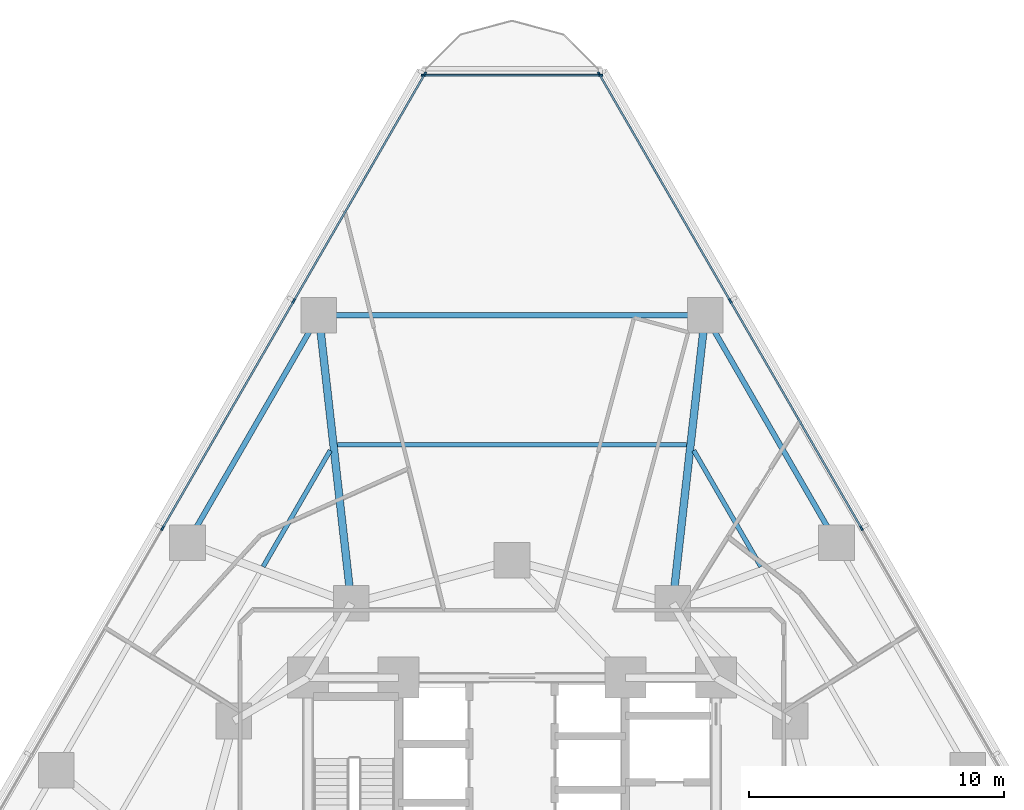
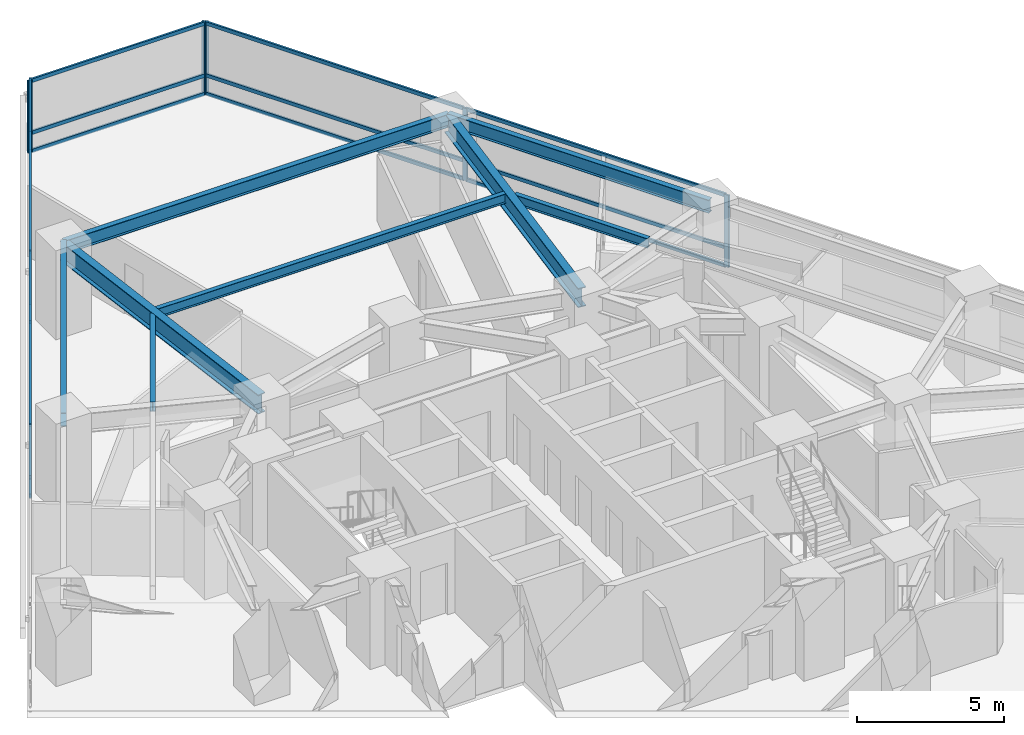
# One storey, part 6 of 15: 23 members, 8 beams, 3 elements without a shape of their own.
"""IFC4 building model written with IfcOpenShell, lengths in metres."""

from ifc_helpers import new_model, si_unit, direction, frame, origin, origin_2d, place, context, subcontext, project, spatial, rectangle, i_section, extrude, material, layer, layer_set, material_profile, profile_set, type_object, element, aggregate, save


model = new_model("IFC4")

# Units and contexts
model_context = context("Model", 3, precision=1e-05, world=origin(), true_north=direction((0.0, 1.0)))
body_context = subcontext(model_context, "Body", "Model", "MODEL_VIEW")
ifc_project = project(units=[si_unit("LENGTHUNIT", "METRE"), si_unit("AREAUNIT", "SQUARE_METRE"), si_unit("VOLUMEUNIT", "CUBIC_METRE"), si_unit("PLANEANGLEUNIT", "RADIAN"), si_unit("MASSUNIT", "GRAM", prefix="KILO")], contexts=[model_context])

# Site, building, storey
site_placement = place(None, origin())
site = spatial("IfcSite", under=ifc_project, at=site_placement, CompositionType="ELEMENT")
building_placement = place(site_placement, origin())
building = spatial("IfcBuilding", under=site, at=building_placement, Name="Terralouvre Media Tower", CompositionType="ELEMENT")
storey_placement = place(building_placement, frame((0.0, 0.0, 33.39990234375)))
storey = spatial("IfcBuildingStorey", under=building, at=storey_placement, Name="L07", CompositionType="ELEMENT", Elevation=33.39990234375)

# Beams
ifc_material_1 = material(Name="Structural steel S355J2", Category="steel")
ifc_material_profile_1 = material_profile(ifc_material_1, i_section(OverallWidth=0.179931640625, OverallDepth=0.39990234375, WebThickness=0.008544921875, FlangeThickness=0.013427734375, at=origin_2d()), Name="IPE 400")
ifc_profile_set_1 = profile_set([ifc_material_profile_1], Name="Structural steel S355J2")
beam_type_1 = type_object("IfcBeamType", Name="Composite Floor Joist J-IPE400 (IPE 400)", PredefinedType="JOIST", material=ifc_profile_set_1)
beam_1_placement = place(storey_placement, frame((9.758544921875, 12.351806640625, 3.300048828125), z_axis=(-0.499984733014, 0.866034218004, 0.0), x_axis=(-0.866034218004, -0.499984733014, 0.0)))
element("IfcBeam", 1, at=beam_1_placement, inside=storey, type_object=beam_type_1, Name="L07 Framing Beam JT-L07-08", PredefinedType="JOIST", context=body_context, shape_type="SweptSolid", body=[
    extrude(i_section(OverallWidth=0.179931640625, OverallDepth=0.39990234375, WebThickness=0.008544921875, FlangeThickness=0.013427734375, at=origin_2d()), origin(), (0.0, 0.0, 1.0), 5.264404296875),
])
beam_2_placement = place(storey_placement, frame((6.85107421875, 17.127685546875, 3.300048828125), z_axis=(-1.0, 0.0, 0.0), x_axis=(0.0, -1.0, 0.0)))
element("IfcBeam", 2, at=beam_2_placement, inside=storey, type_object=beam_type_1, Name="L07 Framing Beam JT-L07-09", PredefinedType="JOIST", context=body_context, shape_type="SweptSolid", body=[
    extrude(i_section(OverallWidth=0.179931640625, OverallDepth=0.39990234375, WebThickness=0.008544921875, FlangeThickness=0.013427734375, at=origin_2d()), origin(), (0.0, 0.0, 1.0), 13.7021484375),
])
beam_3_placement = place(storey_placement, frame((-7.12646484375, 16.910888671875, 3.300048828125), z_axis=(-0.499984733014, -0.866034218004, 0.0), x_axis=(0.866034218004, -0.499984733014, 0.0)))
element("IfcBeam", 3, at=beam_3_placement, inside=storey, type_object=beam_type_1, Name="L07 Framing Beam JT-L07-10", PredefinedType="JOIST", context=body_context, shape_type="SweptSolid", body=[
    extrude(i_section(OverallWidth=0.179931640625, OverallDepth=0.39990234375, WebThickness=0.008544921875, FlangeThickness=0.013427734375, at=origin_2d()), origin(), (0.0, 0.0, 1.0), 5.264404296875),
])

# Curtain wall, members
ifc_material_2 = material(Name="Low-iron laminated double glazing with solar-control coating", Category="glass")
ifc_layer_1 = layer(ifc_material_2, 0.1650390625, Name="Lower Media Tower Unitised Curtain Wall CW-02")
ifc_layer_set_1 = layer_set([ifc_layer_1], Name="Low-iron laminated double glazing with solar-control coating")
curtain_wall_type_1 = type_object("IfcCurtainWallType", Name="Lower Media Tower Unitised Curtain Wall CW-02", PredefinedType="NOTDEFINED", material=ifc_layer_set_1)
curtain_wall_1_placement = place(storey_placement, origin())
curtain_wall_1 = element("IfcCurtainWall", 4, at=curtain_wall_1_placement, inside=storey, type_object=curtain_wall_type_1, Name="L07 Facade Curtain Wall F1", PredefinedType="NOTDEFINED")
ifc_material_3 = material(Name="Anodised extruded aluminium 6063-T6", Category="aluminium")
ifc_material_profile_2 = material_profile(ifc_material_3, rectangle(XDim=0.074951171875, YDim=0.14990234375, at=origin_2d()), Name="ALU 75x150")
ifc_profile_set_2 = profile_set([ifc_material_profile_2], Name="Anodised extruded aluminium 6063-T6")
member_type_1 = type_object("IfcMemberType", Name="Curtain-Wall Horizontal Transom TR-150", PredefinedType="USERDEFINED", material=ifc_profile_set_2)
member_1_placement = place(storey_placement, frame((13.684814453125, 13.890869140625, 0.03759765625), z_axis=(-0.499998717582, 0.866026144187, 0.0), x_axis=(-0.866026144187, -0.499998717582, 0.0)))
member_1 = element("IfcMember", 5, at=member_1_placement, type_object=member_type_1, Name="CW-02 transom 4.1", ObjectType="TRANSOM", PredefinedType="USERDEFINED", context=body_context, shape_type="SweptSolid", body=[
    extrude(rectangle(XDim=0.074951171875, YDim=0.14990234375, at=origin_2d()), origin(), (0.0, 0.0, 1.0), 10.22509765625),
])
member_2_placement = place(storey_placement, frame((13.684814453125, 13.890869140625, 0.800048828125), z_axis=(-0.499998717582, 0.866026144187, 0.0), x_axis=(-0.866026144187, -0.499998717582, 0.0)))
member_2 = element("IfcMember", 6, at=member_2_placement, type_object=member_type_1, Name="CW-02 transom 4.2", ObjectType="TRANSOM", PredefinedType="USERDEFINED", context=body_context, shape_type="SweptSolid", body=[
    extrude(rectangle(XDim=0.074951171875, YDim=0.14990234375, at=origin_2d()), origin(), (0.0, 0.0, 1.0), 10.22509765625),
])
member_3_placement = place(storey_placement, frame((13.684814453125, 13.890869140625, 2.962646484375), z_axis=(-0.499998717582, 0.866026144187, 0.0), x_axis=(-0.866026144187, -0.499998717582, 0.0)))
member_3 = element("IfcMember", 7, at=member_3_placement, type_object=member_type_1, Name="CW-02 transom 4.3", ObjectType="TRANSOM", PredefinedType="USERDEFINED", context=body_context, shape_type="SweptSolid", body=[
    extrude(rectangle(XDim=0.074951171875, YDim=0.14990234375, at=origin_2d()), origin(), (0.0, 0.0, 1.0), 10.22509765625),
])
member_4_placement = place(storey_placement, frame((8.53466796875, 22.81103515625, 0.03759765625), z_axis=(-0.500005272087, 0.866022359922, 0.0), x_axis=(-0.866022359922, -0.500005272087, 0.0)))
member_4 = element("IfcMember", 8, at=member_4_placement, type_object=member_type_1, Name="CW-02 transom 5.1", ObjectType="TRANSOM", PredefinedType="USERDEFINED", context=body_context, shape_type="SweptSolid", body=[
    extrude(rectangle(XDim=0.074951171875, YDim=0.14990234375, at=origin_2d()), origin(), (0.0, 0.0, 1.0), 10.1875),
])
member_5_placement = place(storey_placement, frame((8.53466796875, 22.81103515625, 0.800048828125), z_axis=(-0.500005272087, 0.866022359922, 0.0), x_axis=(-0.866022359922, -0.500005272087, 0.0)))
member_5 = element("IfcMember", 9, at=member_5_placement, type_object=member_type_1, Name="CW-02 transom 5.2", ObjectType="TRANSOM", PredefinedType="USERDEFINED", context=body_context, shape_type="SweptSolid", body=[
    extrude(rectangle(XDim=0.074951171875, YDim=0.14990234375, at=origin_2d()), origin(), (0.0, 0.0, 1.0), 10.1875),
])
member_6_placement = place(storey_placement, frame((8.53466796875, 22.81103515625, 2.962646484375), z_axis=(-0.500005272087, 0.866022359922, 0.0), x_axis=(-0.866022359922, -0.500005272087, 0.0)))
member_6 = element("IfcMember", 10, at=member_6_placement, type_object=member_type_1, Name="CW-02 transom 5.3", ObjectType="TRANSOM", PredefinedType="USERDEFINED", context=body_context, shape_type="SweptSolid", body=[
    extrude(rectangle(XDim=0.074951171875, YDim=0.14990234375, at=origin_2d()), origin(), (0.0, 0.0, 1.0), 10.1875),
])

curtain_wall_2_placement = place(storey_placement, origin())
curtain_wall_2 = element("IfcCurtainWall", 11, at=curtain_wall_2_placement, inside=storey, type_object=curtain_wall_type_1, Name="L07 Facade Curtain Wall F2", PredefinedType="NOTDEFINED")
member_7_placement = place(storey_placement, frame((-3.44091796875, 31.633544921875, 0.03759765625), z_axis=(-0.500005272087, -0.866022359922, 0.0), x_axis=(0.866022359922, -0.500005272087, 0.0)))
member_7 = element("IfcMember", 12, at=member_7_placement, type_object=member_type_1, Name="CW-02 transom 1.1", ObjectType="TRANSOM", PredefinedType="USERDEFINED", context=body_context, shape_type="SweptSolid", body=[
    extrude(rectangle(XDim=0.074951171875, YDim=0.14990234375, at=origin_2d()), origin(), (0.0, 0.0, 1.0), 10.1875),
])
member_8_placement = place(storey_placement, frame((-3.44091796875, 31.633544921875, 0.800048828125), z_axis=(-0.500005272087, -0.866022359922, 0.0), x_axis=(0.866022359922, -0.500005272087, 0.0)))
member_8 = element("IfcMember", 13, at=member_8_placement, type_object=member_type_1, Name="CW-02 transom 1.2", ObjectType="TRANSOM", PredefinedType="USERDEFINED", context=body_context, shape_type="SweptSolid", body=[
    extrude(rectangle(XDim=0.074951171875, YDim=0.14990234375, at=origin_2d()), origin(), (0.0, 0.0, 1.0), 10.1875),
])
member_9_placement = place(storey_placement, frame((-3.44091796875, 31.633544921875, 2.962646484375), z_axis=(-0.500005272087, -0.866022359922, 0.0), x_axis=(0.866022359922, -0.500005272087, 0.0)))
member_9 = element("IfcMember", 14, at=member_9_placement, type_object=member_type_1, Name="CW-02 transom 1.3", ObjectType="TRANSOM", PredefinedType="USERDEFINED", context=body_context, shape_type="SweptSolid", body=[
    extrude(rectangle(XDim=0.074951171875, YDim=0.14990234375, at=origin_2d()), origin(), (0.0, 0.0, 1.0), 10.1875),
])
member_10_placement = place(storey_placement, frame((-8.572265625, 22.74609375, 0.03759765625), z_axis=(-0.499998717582, -0.866026144187, 0.0), x_axis=(0.866026144187, -0.499998717582, 0.0)))
member_10 = element("IfcMember", 15, at=member_10_placement, type_object=member_type_1, Name="CW-02 transom 2.1", ObjectType="TRANSOM", PredefinedType="USERDEFINED", context=body_context, shape_type="SweptSolid", body=[
    extrude(rectangle(XDim=0.074951171875, YDim=0.14990234375, at=origin_2d()), origin(), (0.0, 0.0, 1.0), 10.22509765625),
])
member_11_placement = place(storey_placement, frame((-8.572265625, 22.74609375, 0.800048828125), z_axis=(-0.499998717582, -0.866026144187, 0.0), x_axis=(0.866026144187, -0.499998717582, 0.0)))
member_11 = element("IfcMember", 16, at=member_11_placement, type_object=member_type_1, Name="CW-02 transom 2.2", ObjectType="TRANSOM", PredefinedType="USERDEFINED", context=body_context, shape_type="SweptSolid", body=[
    extrude(rectangle(XDim=0.074951171875, YDim=0.14990234375, at=origin_2d()), origin(), (0.0, 0.0, 1.0), 10.22509765625),
])
member_12_placement = place(storey_placement, frame((-8.572265625, 22.74609375, 2.962646484375), z_axis=(-0.499998717582, -0.866026144187, 0.0), x_axis=(0.866026144187, -0.499998717582, 0.0)))
member_12 = element("IfcMember", 17, at=member_12_placement, type_object=member_type_1, Name="CW-02 transom 2.3", ObjectType="TRANSOM", PredefinedType="USERDEFINED", context=body_context, shape_type="SweptSolid", body=[
    extrude(rectangle(XDim=0.074951171875, YDim=0.14990234375, at=origin_2d()), origin(), (0.0, 0.0, 1.0), 10.22509765625),
])

ifc_material_4 = material(Name="Low-iron laminated double glazing with solar-control coating", Category="glass")
ifc_layer_2 = layer(ifc_material_4, 0.1650390625, Name="Rounded Wind-Corner Curved Glazing CW-04")
ifc_layer_set_2 = layer_set([ifc_layer_2], Name="Low-iron laminated double glazing with solar-control coating")
curtain_wall_type_2 = type_object("IfcCurtainWallType", Name="Rounded Wind-Corner Curved Glazing CW-04", PredefinedType="NOTDEFINED", material=ifc_layer_set_2)
curtain_wall_3_placement = place(storey_placement, origin())
curtain_wall_3 = element("IfcCurtainWall", 18, at=curtain_wall_3_placement, inside=storey, type_object=curtain_wall_type_2, Name="L07 Rounded Wind-Corner Curtain Wall C2", PredefinedType="NOTDEFINED")
member_13_placement = place(storey_placement, frame((3.432373046875, 31.61865234375, 0.03759765625), z_axis=(-1.0, 0.0, 0.0), x_axis=(0.0, -1.0, 0.0)))
member_13 = element("IfcMember", 19, at=member_13_placement, type_object=member_type_1, Name="CW-04 transom 1.1", ObjectType="TRANSOM", PredefinedType="USERDEFINED", context=body_context, shape_type="SweptSolid", body=[
    extrude(rectangle(XDim=0.074951171875, YDim=0.14990234375, at=origin_2d()), origin(), (0.0, 0.0, 1.0), 6.86474609375),
])
member_14_placement = place(storey_placement, frame((3.432373046875, 31.61865234375, 0.800048828125), z_axis=(-1.0, 0.0, 0.0), x_axis=(0.0, -1.0, 0.0)))
member_14 = element("IfcMember", 20, at=member_14_placement, type_object=member_type_1, Name="CW-04 transom 1.2", ObjectType="TRANSOM", PredefinedType="USERDEFINED", context=body_context, shape_type="SweptSolid", body=[
    extrude(rectangle(XDim=0.074951171875, YDim=0.14990234375, at=origin_2d()), origin(), (0.0, 0.0, 1.0), 6.86474609375),
])
member_15_placement = place(storey_placement, frame((3.432373046875, 31.61865234375, 2.962646484375), z_axis=(-1.0, 0.0, 0.0), x_axis=(0.0, -1.0, 0.0)))
member_15 = element("IfcMember", 21, at=member_15_placement, type_object=member_type_1, Name="CW-04 transom 1.3", ObjectType="TRANSOM", PredefinedType="USERDEFINED", context=body_context, shape_type="SweptSolid", body=[
    extrude(rectangle(XDim=0.074951171875, YDim=0.14990234375, at=origin_2d()), origin(), (0.0, 0.0, 1.0), 6.86474609375),
])

# Member
ifc_material_5 = material(Name="Anodised extruded aluminium 6063-T6", Category="aluminium")
ifc_material_profile_3 = material_profile(ifc_material_5, rectangle(XDim=0.074951171875, YDim=0.179931640625, at=origin_2d()), Name="ALU 75x180")
ifc_profile_set_3 = profile_set([ifc_material_profile_3], Name="Anodised extruded aluminium 6063-T6")
member_type_2 = type_object("IfcMemberType", Name="Curtain-Wall Vertical Mullion ML-180", PredefinedType="MULLION", material=ifc_profile_set_3)
member_16_placement = place(storey_placement, frame((13.703369140625, 13.8583984375, 0.0), z_axis=(0.0, 0.0, 1.0), x_axis=(-0.866025412057, -0.499999985671, 0.0)))
member_16 = element("IfcMember", 22, at=member_16_placement, type_object=member_type_2, Name="CW-02 mullion 4", PredefinedType="MULLION", context=body_context, shape_type="SweptSolid", body=[
    extrude(rectangle(XDim=0.074951171875, YDim=0.179931640625, at=origin_2d()), origin(), (0.0, 0.0, 1.0), 3.0),
])

member_17_placement = place(storey_placement, frame((8.553466796875, 22.778564453125, 0.0), z_axis=(0.0, 0.0, 1.0), x_axis=(-0.866025412057, -0.499999985671, 0.0)))
member_17 = element("IfcMember", 23, at=member_17_placement, type_object=member_type_2, Name="CW-02 mullion 5", PredefinedType="MULLION", context=body_context, shape_type="SweptSolid", body=[
    extrude(rectangle(XDim=0.074951171875, YDim=0.179931640625, at=origin_2d()), origin(), (0.0, 0.0, 1.0), 3.0),
])

member_18_placement = place(storey_placement, frame((3.422119140625, 31.666015625, 0.0), z_axis=(0.0, 0.0, 1.0), x_axis=(-0.866025412057, -0.499999985671, 0.0)))
member_18 = element("IfcMember", 24, at=member_18_placement, type_object=member_type_2, Name="CW-02 mullion 6", PredefinedType="MULLION", context=body_context, shape_type="SweptSolid", body=[
    extrude(rectangle(XDim=0.074951171875, YDim=0.179931640625, at=origin_2d()), origin(), (0.0, 0.0, 1.0), 3.0),
])

aggregate(curtain_wall_1, [member_16, member_17, member_18, member_1, member_2, member_3, member_4, member_5, member_6])

member_19_placement = place(storey_placement, frame((-3.422119140625, 31.666015625, 0.0), z_axis=(0.0, 0.0, 1.0), x_axis=(0.866025412057, -0.499999985671, 0.0)))
member_19 = element("IfcMember", 25, at=member_19_placement, type_object=member_type_2, Name="CW-02 mullion 1", PredefinedType="MULLION", context=body_context, shape_type="SweptSolid", body=[
    extrude(rectangle(XDim=0.074951171875, YDim=0.179931640625, at=origin_2d()), origin(), (0.0, 0.0, 1.0), 3.0),
])

member_20_placement = place(storey_placement, frame((-8.553466796875, 22.778564453125, 0.0), z_axis=(0.0, 0.0, 1.0), x_axis=(0.866025412057, -0.499999985671, 0.0)))
member_20 = element("IfcMember", 26, at=member_20_placement, type_object=member_type_2, Name="CW-02 mullion 2", PredefinedType="MULLION", context=body_context, shape_type="SweptSolid", body=[
    extrude(rectangle(XDim=0.074951171875, YDim=0.179931640625, at=origin_2d()), origin(), (0.0, 0.0, 1.0), 3.0),
])

member_21_placement = place(storey_placement, frame((-13.703369140625, 13.8583984375, 0.0), z_axis=(0.0, 0.0, 1.0), x_axis=(0.866025412057, -0.499999985671, 0.0)))
member_21 = element("IfcMember", 27, at=member_21_placement, type_object=member_type_2, Name="CW-02 mullion 3", PredefinedType="MULLION", context=body_context, shape_type="SweptSolid", body=[
    extrude(rectangle(XDim=0.074951171875, YDim=0.179931640625, at=origin_2d()), origin(), (0.0, 0.0, 1.0), 3.0),
])

aggregate(curtain_wall_2, [member_19, member_20, member_21, member_7, member_8, member_9, member_10, member_11, member_12])

member_22_placement = place(storey_placement, frame((3.469970703125, 31.61865234375, 0.0), z_axis=(0.0, 0.0, 1.0), x_axis=(0.0, -1.0, 0.0)))
member_22 = element("IfcMember", 28, at=member_22_placement, type_object=member_type_2, Name="CW-04 mullion 1", PredefinedType="MULLION", context=body_context, shape_type="SweptSolid", body=[
    extrude(rectangle(XDim=0.074951171875, YDim=0.179931640625, at=origin_2d()), origin(), (0.0, 0.0, 1.0), 3.0),
])

member_23_placement = place(storey_placement, frame((-3.469970703125, 31.61865234375, 0.0), z_axis=(0.0, 0.0, 1.0), x_axis=(0.0, -1.0, 0.0)))
member_23 = element("IfcMember", 29, at=member_23_placement, type_object=member_type_2, Name="CW-04 mullion 2", PredefinedType="MULLION", context=body_context, shape_type="SweptSolid", body=[
    extrude(rectangle(XDim=0.074951171875, YDim=0.179931640625, at=origin_2d()), origin(), (0.0, 0.0, 1.0), 3.0),
])

aggregate(curtain_wall_3, [member_22, member_23, member_13, member_14, member_15])

# Beams
ifc_material_6 = material(Name="Structural steel S355J2", Category="steel")
ifc_material_profile_4 = material_profile(ifc_material_6, i_section(OverallWidth=0.2099609375, OverallDepth=0.550048828125, WebThickness=0.010986328125, FlangeThickness=0.01708984375, at=origin_2d()), Name="IPE 550")
ifc_profile_set_4 = profile_set([ifc_material_profile_4], Name="Structural steel S355J2")
beam_type_2 = type_object("IfcBeamType", Name="Perimeter Spandrel Beam SPB-550 (IPE 550)", PredefinedType="SPANDREL", material=ifc_profile_set_4)
beam_4_placement = place(storey_placement, frame((12.724853515625, 13.29345703125, 3.22509765625), z_axis=(-0.499998765615, 0.866026116456, 0.0), x_axis=(-0.866026116456, -0.499998765615, 0.0)))
element("IfcBeam", 30, at=beam_4_placement, inside=storey, type_object=beam_type_2, Name="L07 Framing Beam BM-L07-PR08", PredefinedType="SPANDREL", context=body_context, shape_type="SweptSolid", body=[
    extrude(i_section(OverallWidth=0.2099609375, OverallDepth=0.550048828125, WebThickness=0.010986328125, FlangeThickness=0.01708984375, at=origin_2d()), origin(), (0.0, 0.0, 1.0), 10.2998046875),
])
beam_5_placement = place(storey_placement, frame((7.574951171875, 22.21337890625, 3.22509765625), z_axis=(-1.0, 0.0, 0.0), x_axis=(0.0, -1.0, 0.0)))
element("IfcBeam", 31, at=beam_5_placement, inside=storey, type_object=beam_type_2, Name="L07 Framing Beam BM-L07-PR09", PredefinedType="SPANDREL", context=body_context, shape_type="SweptSolid", body=[
    extrude(i_section(OverallWidth=0.2099609375, OverallDepth=0.550048828125, WebThickness=0.010986328125, FlangeThickness=0.01708984375, at=origin_2d()), origin(), (0.0, 0.0, 1.0), 15.14990234375),
])
beam_6_placement = place(storey_placement, frame((-7.574951171875, 22.21337890625, 3.22509765625), z_axis=(-0.499998765615, -0.866026116456, 0.0), x_axis=(0.866026116456, -0.499998765615, 0.0)))
element("IfcBeam", 32, at=beam_6_placement, inside=storey, type_object=beam_type_2, Name="L07 Framing Beam BM-L07-PR10", PredefinedType="SPANDREL", context=body_context, shape_type="SweptSolid", body=[
    extrude(i_section(OverallWidth=0.2099609375, OverallDepth=0.550048828125, WebThickness=0.010986328125, FlangeThickness=0.01708984375, at=origin_2d()), origin(), (0.0, 0.0, 1.0), 10.2998046875),
])
ifc_material_7 = material(Name="Structural steel S460M", Category="steel")
ifc_material_profile_5 = material_profile(ifc_material_7, i_section(OverallWidth=0.300048828125, OverallDepth=0.800048828125, WebThickness=0.017578125, FlangeThickness=0.032958984375, at=origin_2d()), Name="HEB 800")
ifc_profile_set_5 = profile_set([ifc_material_profile_5], Name="Structural steel S460M")
beam_type_3 = type_object("IfcBeamType", Name="Primary Floor Girder B-HEB800 (HEB 800)", PredefinedType="BEAM", material=ifc_profile_set_5)
for number, where, z_axis, x_axis, name in (
    (33, (6.300048828125, 10.911865234375, 3.10009765625), (0.112097104782, 0.993697257267, 0.0), (-0.993697257267, 0.112097104782, 0.0), "L07 Framing Beam BM-L07-RD09"),
    (34, (-6.300048828125, 10.911865234375, 3.10009765625), (-0.112097104782, 0.993697257267, 0.0), (-0.993697257267, -0.112097104782, 0.0), "L07 Framing Beam BM-L07-RD10"),
):
    element("IfcBeam", number, at=place(storey_placement, frame(where, z_axis=z_axis, x_axis=x_axis)), inside=storey, type_object=beam_type_3, Name=name, PredefinedType="BEAM", context=body_context, shape_type="SweptSolid", body=[
        extrude(i_section(OverallWidth=0.300048828125, OverallDepth=0.800048828125, WebThickness=0.017578125, FlangeThickness=0.032958984375, at=origin_2d()), origin(), (0.0, 0.0, 1.0), 11.373291015625),
    ])

save(model, "model.ifc")
